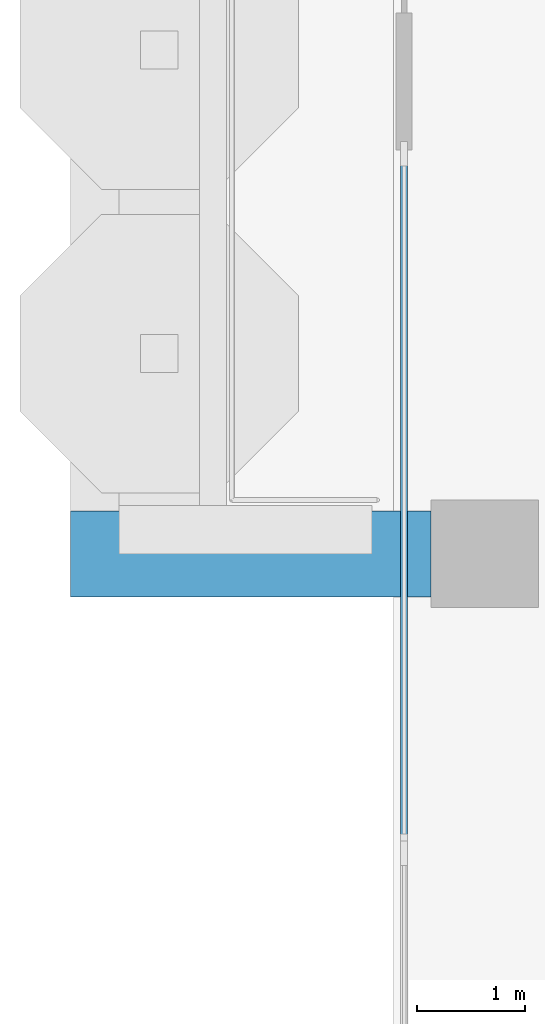
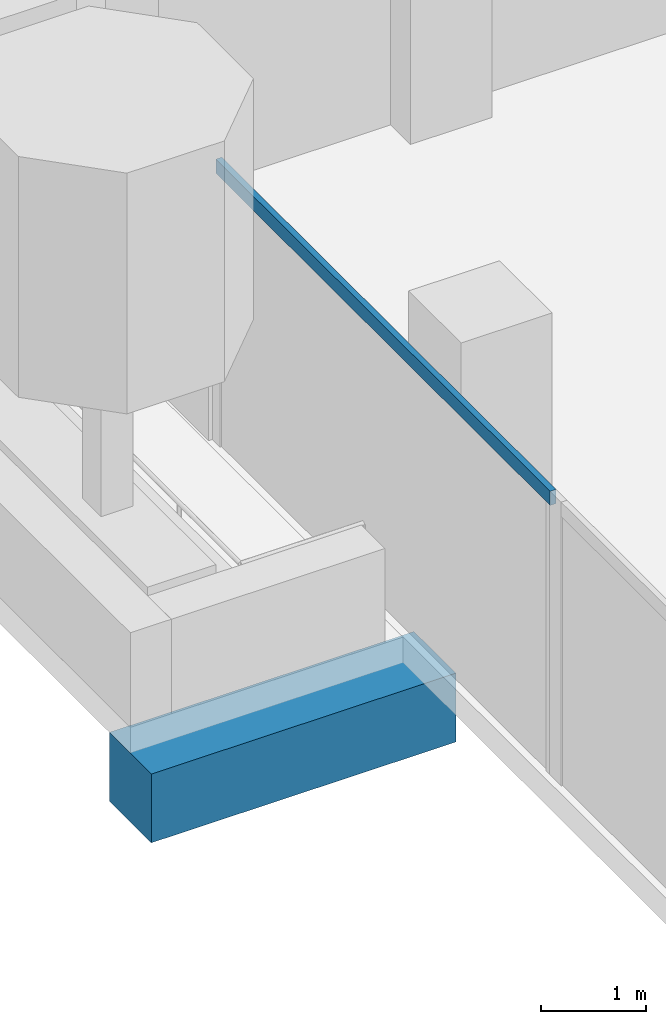
# One storey, part 3 of 17: 1 beam, 1 member, 1 element without a shape of its own.
"""IFC4 building model written with IfcOpenShell, lengths in metres."""

from ifc_helpers import new_model, si_unit, direction, frame, origin, origin_2d, place, context, subcontext, project, spatial, rectangle, extrude, material, material_profile, profile_set, type_object, element, aggregate, save


model = new_model("IFC4")

# Units and contexts
model_context = context("Model", 3, precision=1e-05, world=origin(), true_north=direction((0.0, 1.0)))
body_context = subcontext(model_context, "Body", "Model", "MODEL_VIEW")
ifc_project = project(units=[si_unit("LENGTHUNIT", "METRE"), si_unit("AREAUNIT", "SQUARE_METRE"), si_unit("VOLUMEUNIT", "CUBIC_METRE"), si_unit("PLANEANGLEUNIT", "RADIAN"), si_unit("MASSUNIT", "GRAM", prefix="KILO")], contexts=[model_context])

# Site, building, storey
site_placement = place(None, origin())
site = spatial("IfcSite", under=ifc_project, at=site_placement, CompositionType="ELEMENT")
building_placement = place(site_placement, origin())
building = spatial("IfcBuilding", under=site, at=building_placement, Name="Pilkhan Gate Tower", CompositionType="ELEMENT")
storey_placement = place(building_placement, frame((0.0, 0.0, 213.89990234375)))
storey = spatial("IfcBuildingStorey", under=building, at=storey_placement, Name="L55", CompositionType="ELEMENT", Elevation=213.89990234375)

# Beam
ifc_material_1 = material(Name="Concrete C50/60", Category="concrete")
ifc_material_profile_1 = material_profile(ifc_material_1, rectangle(XDim=0.800048828125, YDim=0.800048828125, at=origin_2d()), Name="RC 800x800")
ifc_profile_set_1 = profile_set([ifc_material_profile_1], Name="Concrete C50/60")
beam_type = type_object("IfcBeamType", Name="Cantilever beam CB2 RC 800x800 C50/60", PredefinedType="BEAM", material=ifc_profile_set_1)
beam_placement = place(storey_placement, frame((48.25, 67.5, -0.699951171875), z_axis=(-1.0, 0.0, 0.0), x_axis=(0.0, -1.0, 0.0)))
element("IfcBeam", 1, at=beam_placement, inside=storey, type_object=beam_type, Name="Balcony beam W.1 L55", PredefinedType="BEAM", context=body_context, shape_type="SweptSolid", body=[
    extrude(rectangle(XDim=0.800048828125, YDim=0.800048828125, at=origin_2d()), origin(), (0.0, 0.0, 1.0), 3.35009765625),
])

# Curtain wall, member
ifc_material_2 = material(Name="Pale anodised aluminium, clear low-iron double glazing", Category="aluminium")
curtain_wall_type = type_object("IfcCurtainWallType", Name="Office unitised curtain wall CW-O2", PredefinedType="USERDEFINED", material=ifc_material_2)
curtain_wall_placement = place(storey_placement, origin())
curtain_wall = element("IfcCurtainWall", 2, at=curtain_wall_placement, inside=storey, type_object=curtain_wall_type, Name="Office unitised curtain wall CW-O2 L55 W", ObjectType="UNITISED CURTAIN WALL", PredefinedType="USERDEFINED")
ifc_material_3 = material(Name="Pale anodised aluminium", Category="aluminium")
ifc_material_profile_2 = material_profile(ifc_material_3, rectangle(XDim=0.06494140625, YDim=0.1650390625, at=origin_2d()), Name="Transom 165x65")
ifc_profile_set_2 = profile_set([ifc_material_profile_2], Name="Pale anodised aluminium")
member_type = type_object("IfcMemberType", Name="Transom CW-O2 165x65", PredefinedType="USERDEFINED", material=ifc_profile_set_2)
member_placement = place(storey_placement, frame((48.0, 64.81494140625, 3.217529296875), z_axis=(0.0, 1.0, 0.0), x_axis=(-1.0, 0.0, 0.0)))
member = element("IfcMember", 3, at=member_placement, type_object=member_type, Name="CW-O2 transom 1", ObjectType="TRANSOM", PredefinedType="USERDEFINED", context=body_context, shape_type="SweptSolid", body=[
    extrude(rectangle(XDim=0.06494140625, YDim=0.1650390625, at=origin_2d()), origin(), (0.0, 0.0, 1.0), 6.3701171875),
])
aggregate(curtain_wall, [member])

save(model, "model.ifc")
